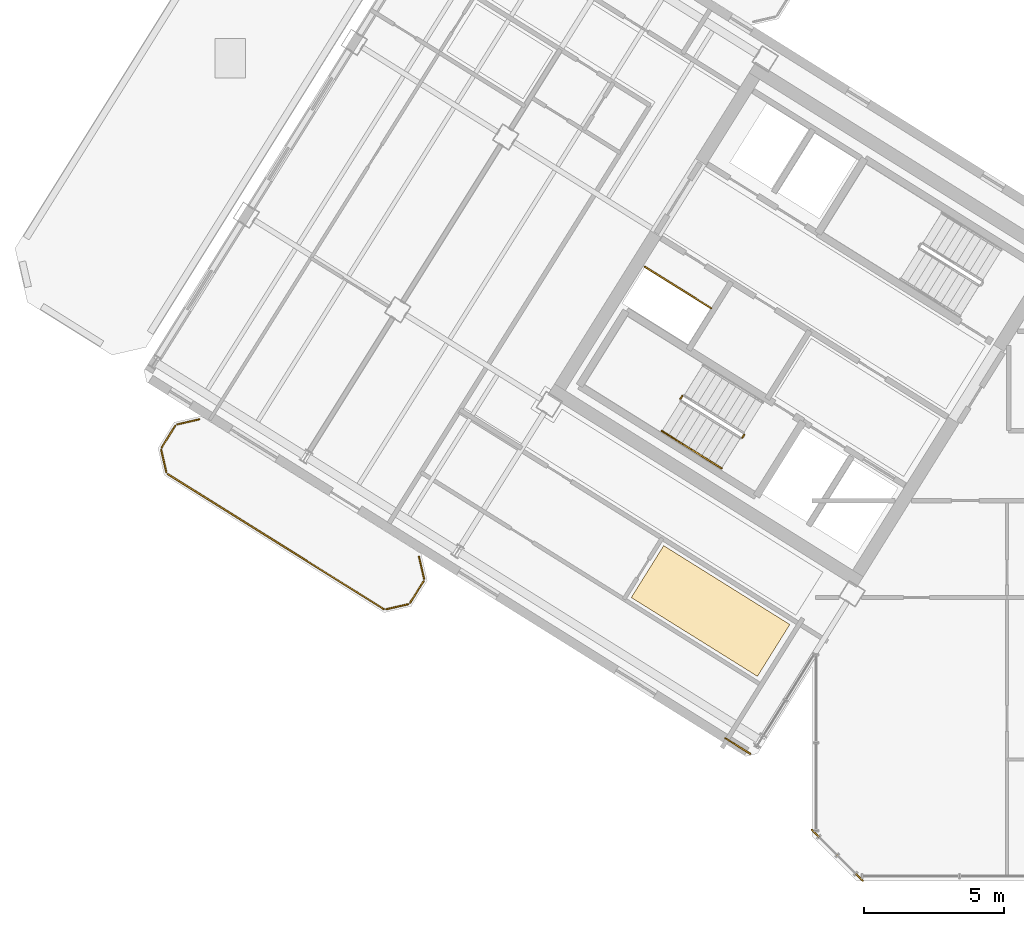
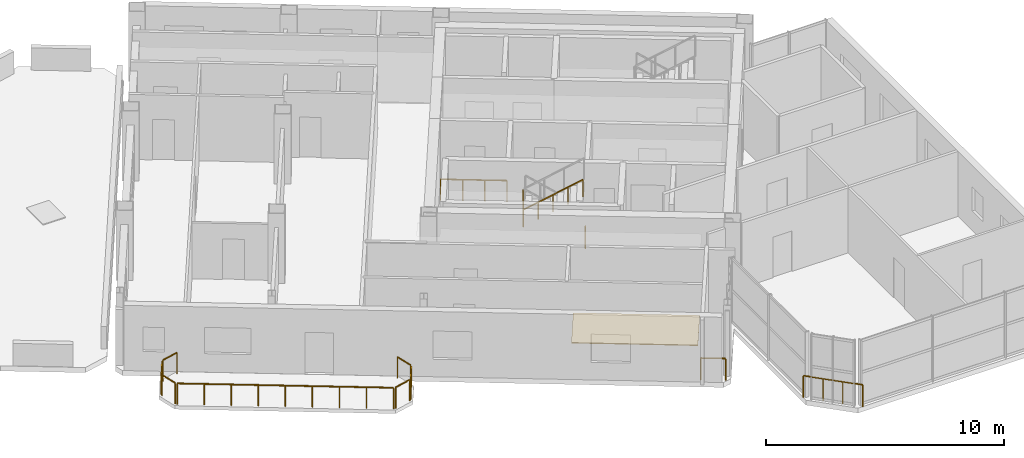
# One storey, part 11 of 12: 14 railings, 1 covering.
"""IFC4 building model written with IfcOpenShell, lengths in metres."""

from ifc_helpers import new_model, si_unit, direction, frame, origin, origin_2d, place, context, subcontext, project, spatial, polyline, rectangle, outline, extrude, source, transform, mapped, material, layer, layer_set, type_object, element, save


model = new_model("IFC4")

# Units and contexts
model_context = context("Model", 3, precision=1e-05, world=origin(), true_north=direction((0.0, 1.0)))
body_context = subcontext(model_context, "Body", "Model", "MODEL_VIEW")
ifc_project = project(units=[si_unit("LENGTHUNIT", "METRE"), si_unit("AREAUNIT", "SQUARE_METRE"), si_unit("VOLUMEUNIT", "CUBIC_METRE"), si_unit("PLANEANGLEUNIT", "RADIAN"), si_unit("MASSUNIT", "GRAM", prefix="KILO")], contexts=[model_context])

# Site, building, storey
site_placement = place(None, origin())
site = spatial("IfcSite", under=ifc_project, at=site_placement, CompositionType="ELEMENT")
building_placement = place(site_placement, origin())
building = spatial("IfcBuilding", under=site, at=building_placement, Name="Tlacorven Tower", CompositionType="ELEMENT")
storey_placement = place(building_placement, frame((0.0, 0.0, 280.800048828125)))
storey = spatial("IfcBuildingStorey", under=building, at=storey_placement, Name="L71", CompositionType="ELEMENT", Elevation=280.800048828125)

# Covering
ifc_material_1 = material(Name="Terrazzo and ceramic flooring")
ifc_layer = layer(ifc_material_1, 0.0400390625)
ifc_layer_set = layer_set([ifc_layer], Name="Terrazzo and ceramic flooring")
covering_type = type_object("IfcCoveringType", Name="CV-FLR-TERZ", PredefinedType="FLOORING", material=ifc_layer_set)
covering_placement = place(storey_placement, origin())
element("IfcCovering", 1, at=covering_placement, inside=storey, type_object=covering_type, Name="L71 Porcelain Wet-Room Floor Finish 6", PredefinedType="FLOORING", context=body_context, shape_type="SweptSolid", body=[
    extrude(outline(polyline([(30.811767578125, 10.983154296875), (29.651123046875, 9.1259765625), (25.131103515625, 11.950439453125), (26.291748046875, 13.8076171875), (30.811767578125, 10.983154296875)])), origin(), (0.0, 0.0, 1.0), 0.0400390625),
])

# Railings
ifc_material_2 = material(Name="Aluminium and painted steel balustrade", Category="steel")
railing_type_1 = type_object("IfcRailingType", Name="RL-GRD-1100", PredefinedType="GUARDRAIL", material=ifc_material_2)
shared_shape_1 = source(origin(), body_context, "Body", "SweptSolid", [
    extrude(rectangle(XDim=0.048095703125, YDim=0.048095703125, at=origin_2d()), frame((0.0, 0.0, 1.076171875), z_axis=(-0.848091358275, 0.529850024081, 0.0), x_axis=(-0.529850024081, -0.848091358275, 0.0)), (0.0, 0.0, 1.0), 2.800048828125),
    extrude(rectangle(XDim=0.0419921875, YDim=0.0419921875, at=origin_2d()), origin(), (0.0, 0.0, 1.0), 1.052001953125),
    extrude(rectangle(XDim=0.0419921875, YDim=0.0419921875, at=origin_2d()), frame((-0.79150390625, 0.49462890625, 0.0)), (0.0, 0.0, 1.0), 1.052001953125),
    extrude(rectangle(XDim=0.0419921875, YDim=0.0419921875, at=origin_2d()), frame((-1.583251953125, 0.989013671875, 0.0)), (0.0, 0.0, 1.0), 1.052001953125),
    extrude(rectangle(XDim=0.0419921875, YDim=0.0419921875, at=origin_2d()), frame((-2.374755859375, 1.483642578125, 0.0)), (0.0, 0.0, 1.0), 1.052001953125),
])
railing_1_placement = place(storey_placement, frame((27.9912109375, 22.32080078125, 0.0)))
element("IfcRailing", 2, at=railing_1_placement, inside=storey, type_object=railing_type_1, Name="L71 Electrical Riser W Shaft Guard 1", PredefinedType="GUARDRAIL", context=body_context, shape_type="MappedRepresentation", body=[
    mapped(shared_shape_1, transform((0.0, 0.0, 0.0), scale=1.0)),
])
railing_type_2 = type_object("IfcRailingType", Name="RL-BAL-1100", PredefinedType="BALUSTRADE", material=ifc_material_2)
shared_shape_2 = source(origin(), body_context, "Body", "SweptSolid", [
    extrude(rectangle(XDim=0.048095703125, YDim=0.048095703125, at=origin_2d()), frame((0.0, 0.0, 1.076171875), z_axis=(0.225058334816, -0.974345290916, 0.0), x_axis=(0.974345290916, 0.225058334816, 0.0)), (0.0, 0.0, 1.0), 0.80712890625),
    extrude(rectangle(XDim=0.0419921875, YDim=0.0419921875, at=origin_2d()), origin(), (0.0, 0.0, 1.0), 1.052001953125),
    extrude(rectangle(XDim=0.0419921875, YDim=0.0419921875, at=origin_2d()), frame((0.181640625, -0.786376953125, 0.0)), (0.0, 0.0, 1.0), 1.052001953125),
])
railing_2_placement = place(storey_placement, frame((17.5244140625, 13.413330078125, 0.0)))
element("IfcRailing", 3, at=railing_2_placement, inside=storey, type_object=railing_type_2, Name="BAL-L71-W-OUT Guard Railing 1", PredefinedType="BALUSTRADE", context=body_context, shape_type="MappedRepresentation", body=[
    mapped(shared_shape_2, transform((0.0, 0.0, 0.0), scale=1.0)),
])
shared_shape_3 = source(origin(), body_context, "Body", "SweptSolid", [
    extrude(rectangle(XDim=0.048095703125, YDim=0.048095703125, at=origin_2d()), frame((0.0, 0.0, 1.076171875), z_axis=(-0.52987865805, -0.848073468364, 0.0), x_axis=(0.848073468364, -0.52987865805, 0.0)), (0.0, 0.0, 1.0), 0.912353515625),
    extrude(rectangle(XDim=0.0419921875, YDim=0.0419921875, at=origin_2d()), origin(), (0.0, 0.0, 1.0), 1.052001953125),
    extrude(rectangle(XDim=0.0419921875, YDim=0.0419921875, at=origin_2d()), frame((-0.4833984375, -0.773681640625, 0.0)), (0.0, 0.0, 1.0), 1.052001953125),
])
railing_3_placement = place(storey_placement, frame((17.690673828125, 12.535888671875, 0.0)))
element("IfcRailing", 4, at=railing_3_placement, inside=storey, type_object=railing_type_2, Name="BAL-L71-W-OUT Guard Railing 2", PredefinedType="BALUSTRADE", context=body_context, shape_type="MappedRepresentation", body=[
    mapped(shared_shape_3, transform((0.0, 0.0, 0.0), scale=1.0)),
])
shared_shape_4 = source(origin(), body_context, "Body", "SweptSolid", [
    extrude(rectangle(XDim=0.048095703125, YDim=0.048095703125, at=origin_2d()), frame((0.0, 0.0, 1.076171875), z_axis=(-0.974411586182, -0.224771129628, 0.0), x_axis=(0.224771129628, -0.974411586182, 0.0)), (0.0, 0.0, 1.0), 0.80712890625),
    extrude(rectangle(XDim=0.0419921875, YDim=0.0419921875, at=origin_2d()), origin(), (0.0, 0.0, 1.0), 1.052001953125),
    extrude(rectangle(XDim=0.0419921875, YDim=0.0419921875, at=origin_2d()), frame((-0.786376953125, -0.181396484375, 0.0)), (0.0, 0.0, 1.0), 1.052001953125),
])
railing_4_placement = place(storey_placement, frame((17.132080078125, 11.70849609375, 0.0)))
element("IfcRailing", 5, at=railing_4_placement, inside=storey, type_object=railing_type_2, Name="BAL-L71-W-OUT Guard Railing 3", PredefinedType="BALUSTRADE", context=body_context, shape_type="MappedRepresentation", body=[
    mapped(shared_shape_4, transform((0.0, 0.0, 0.0), scale=1.0)),
])
shared_shape_5 = source(origin(), body_context, "Body", "SweptSolid", [
    extrude(rectangle(XDim=0.048095703125, YDim=0.048095703125, at=origin_2d()), frame((0.0, 0.0, 1.076171875), z_axis=(-0.225058334816, 0.974345290916, 0.0), x_axis=(-0.974345290916, -0.225058334816, 0.0)), (0.0, 0.0, 1.0), 0.80712890625),
    extrude(rectangle(XDim=0.0419921875, YDim=0.0419921875, at=origin_2d()), origin(), (0.0, 0.0, 1.0), 1.052001953125),
    extrude(rectangle(XDim=0.0419921875, YDim=0.0419921875, at=origin_2d()), frame((-0.181640625, 0.786376953125, 0.0)), (0.0, 0.0, 1.0), 1.052001953125),
])
railing_5_placement = place(storey_placement, frame((8.46923828125, 16.448974609375, 0.0)))
element("IfcRailing", 6, at=railing_5_placement, inside=storey, type_object=railing_type_2, Name="BAL-L71-W-OUT Guard Railing 5", PredefinedType="BALUSTRADE", context=body_context, shape_type="MappedRepresentation", body=[
    mapped(shared_shape_5, transform((0.0, 0.0, 0.0), scale=1.0)),
])
railing_type_3 = type_object("IfcRailingType", Name="RL-GRD-1150", PredefinedType="GUARDRAIL", material=ifc_material_2)
shared_shape_6 = source(origin(), body_context, "Body", "SweptSolid", [
    extrude(rectangle(XDim=0.048095703125, YDim=0.048095703125, at=origin_2d()), frame((0.0, 0.0, 1.1259765625), z_axis=(-0.707106781187, 0.707106781187, 0.0), x_axis=(-0.707106781187, -0.707106781187, 0.0)), (0.0, 0.0, 1.0), 2.590087890625),
    extrude(rectangle(XDim=0.0419921875, YDim=0.0419921875, at=origin_2d()), origin(), (0.0, 0.0, 1.0), 1.101806640625),
    extrude(rectangle(XDim=0.0419921875, YDim=0.0419921875, at=origin_2d()), frame((-0.610595703125, 0.610595703125, 0.0)), (0.0, 0.0, 1.0), 1.101806640625),
    extrude(rectangle(XDim=0.0419921875, YDim=0.0419921875, at=origin_2d()), frame((-1.220947265625, 1.220947265625, 0.0)), (0.0, 0.0, 1.0), 1.101806640625),
    extrude(rectangle(XDim=0.0419921875, YDim=0.0419921875, at=origin_2d()), frame((-1.83154296875, 1.83154296875, 0.0)), (0.0, 0.0, 1.0), 1.101806640625),
])
railing_6_placement = place(storey_placement, frame((33.428955078125, 1.79736328125, 0.0)))
element("IfcRailing", 7, at=railing_6_placement, inside=storey, type_object=railing_type_3, Name="L71 Knuckle Glazed Sill Guard 1", PredefinedType="GUARDRAIL", context=body_context, shape_type="MappedRepresentation", body=[
    mapped(shared_shape_6, transform((0.0, 0.0, 0.0), scale=1.0)),
])
shared_shape_7 = source(origin(), body_context, "Body", "SweptSolid", [
    extrude(rectangle(XDim=0.048095703125, YDim=0.048095703125, at=origin_2d()), frame((0.0, 0.0, 1.1259765625), z_axis=(-0.848102774857, 0.529831749973, 0.0), x_axis=(-0.529831749973, -0.848102774857, 0.0)), (0.0, 0.0, 1.0), 1.050048828125),
    extrude(rectangle(XDim=0.0419921875, YDim=0.0419921875, at=origin_2d()), origin(), (0.0, 0.0, 1.0), 1.101806640625),
    extrude(rectangle(XDim=0.0419921875, YDim=0.0419921875, at=origin_2d()), frame((-0.890625, 0.556396484375, 0.0)), (0.0, 0.0, 1.0), 1.101806640625),
])
railing_7_placement = place(storey_placement, frame((29.39501953125, 6.35009765625, 0.0)))
element("IfcRailing", 8, at=railing_7_placement, inside=storey, type_object=railing_type_3, Name="L71 Knuckle Glazed Sill Guard 2", PredefinedType="GUARDRAIL", context=body_context, shape_type="MappedRepresentation", body=[
    mapped(shared_shape_7, transform((0.0, 0.0, 0.0), scale=1.0)),
])
shared_shape_8 = source(origin(), body_context, "Body", "SweptSolid", [
    extrude(rectangle(XDim=0.048095703125, YDim=0.048095703125, at=origin_2d()), frame((0.0, 0.0, 1.076171875), z_axis=(-0.848047945797, 0.529919504859, 0.0), x_axis=(-0.529919504859, -0.848047945797, 0.0)), (0.0, 0.0, 1.0), 9.116943359375),
    extrude(rectangle(XDim=0.0419921875, YDim=0.0419921875, at=origin_2d()), origin(), (0.0, 0.0, 1.0), 1.052001953125),
    extrude(rectangle(XDim=0.0419921875, YDim=0.0419921875, at=origin_2d()), frame((-0.966552734375, 0.60400390625, 0.0)), (0.0, 0.0, 1.0), 1.052001953125),
    extrude(rectangle(XDim=0.0419921875, YDim=0.0419921875, at=origin_2d()), frame((-1.932861328125, 1.207763671875, 0.0)), (0.0, 0.0, 1.0), 1.052001953125),
    extrude(rectangle(XDim=0.0419921875, YDim=0.0419921875, at=origin_2d()), frame((-2.8994140625, 1.811767578125, 0.0)), (0.0, 0.0, 1.0), 1.052001953125),
    extrude(rectangle(XDim=0.0419921875, YDim=0.0419921875, at=origin_2d()), frame((-3.86572265625, 2.41552734375, 0.0)), (0.0, 0.0, 1.0), 1.052001953125),
    extrude(rectangle(XDim=0.0419921875, YDim=0.0419921875, at=origin_2d()), frame((-4.832275390625, 3.01953125, 0.0)), (0.0, 0.0, 1.0), 1.052001953125),
    extrude(rectangle(XDim=0.0419921875, YDim=0.0419921875, at=origin_2d()), frame((-5.798828125, 3.62353515625, 0.0)), (0.0, 0.0, 1.0), 1.052001953125),
    extrude(rectangle(XDim=0.0419921875, YDim=0.0419921875, at=origin_2d()), frame((-6.76513671875, 4.227294921875, 0.0)), (0.0, 0.0, 1.0), 1.052001953125),
    extrude(rectangle(XDim=0.0419921875, YDim=0.0419921875, at=origin_2d()), frame((-7.731689453125, 4.831298828125, 0.0)), (0.0, 0.0, 1.0), 1.052001953125),
])
railing_8_placement = place(storey_placement, frame((16.254638671875, 11.542236328125, 0.0)))
element("IfcRailing", 9, at=railing_8_placement, inside=storey, type_object=railing_type_2, Name="BAL-L71-W-OUT Guard Railing 4", PredefinedType="BALUSTRADE", context=body_context, shape_type="MappedRepresentation", body=[
    mapped(shared_shape_8, transform((0.0, 0.0, 0.0), scale=1.0)),
])
shared_shape_9 = source(origin(), body_context, "Body", "SweptSolid", [
    extrude(rectangle(XDim=0.048095703125, YDim=0.048095703125, at=origin_2d()), frame((0.0, 0.0, 1.076171875), z_axis=(0.529806412759, 0.848118603144, 0.0), x_axis=(-0.848118603144, 0.529806412759, 0.0)), (0.0, 0.0, 1.0), 0.911865234375),
    extrude(rectangle(XDim=0.0419921875, YDim=0.0419921875, at=origin_2d()), origin(), (0.0, 0.0, 1.0), 1.052001953125),
    extrude(rectangle(XDim=0.0419921875, YDim=0.0419921875, at=origin_2d()), frame((0.483154296875, 0.7734375, 0.0)), (0.0, 0.0, 1.0), 1.052001953125),
])
railing_9_placement = place(storey_placement, frame((8.302978515625, 17.326416015625, 0.0)))
element("IfcRailing", 10, at=railing_9_placement, inside=storey, type_object=railing_type_2, Name="BAL-L71-W-OUT Guard Railing 6", PredefinedType="BALUSTRADE", context=body_context, shape_type="MappedRepresentation", body=[
    mapped(shared_shape_9, transform((0.0, 0.0, 0.0), scale=1.0)),
])
shared_shape_10 = source(origin(), body_context, "Body", "SweptSolid", [
    extrude(rectangle(XDim=0.048095703125, YDim=0.048095703125, at=origin_2d()), frame((0.0, 0.0, 1.076171875), z_axis=(0.974360606036, 0.224992020761, 0.0), x_axis=(-0.224992020761, 0.974360606036, 0.0)), (0.0, 0.0, 1.0), 0.807373046875),
    extrude(rectangle(XDim=0.0419921875, YDim=0.0419921875, at=origin_2d()), origin(), (0.0, 0.0, 1.0), 1.052001953125),
    extrude(rectangle(XDim=0.0419921875, YDim=0.0419921875, at=origin_2d()), frame((0.78662109375, 0.181640625, 0.0)), (0.0, 0.0, 1.0), 1.052001953125),
])
railing_10_placement = place(storey_placement, frame((8.861328125, 18.153564453125, 0.0)))
element("IfcRailing", 11, at=railing_10_placement, inside=storey, type_object=railing_type_2, Name="BAL-L71-W-OUT Guard Railing 7", PredefinedType="BALUSTRADE", context=body_context, shape_type="MappedRepresentation", body=[
    mapped(shared_shape_10, transform((0.0, 0.0, 0.0), scale=1.0)),
])
shared_shape_11 = source(origin(), body_context, "Body", "SweptSolid", [
    extrude(rectangle(XDim=0.048095703125, YDim=0.048095703125, at=origin_2d()), frame((0.0, 0.0, 1.076171875), z_axis=(-0.529084052582, -0.848569422795, 0.0), x_axis=(0.848569422795, -0.529084052582, 0.0)), (0.0, 0.0, 1.0), 0.119873046875),
    extrude(rectangle(XDim=0.0419921875, YDim=0.0419921875, at=origin_2d()), origin(), (0.0, 0.0, 1.0), 1.052001953125),
    extrude(rectangle(XDim=0.0419921875, YDim=0.0419921875, at=origin_2d()), frame((-0.0634765625, -0.101806640625, 0.0)), (0.0, 0.0, 1.0), 1.052001953125),
])
railing_11_placement = place(storey_placement, frame((29.176513671875, 17.782958984375, 0.0)))
element("IfcRailing", 12, at=railing_11_placement, inside=storey, type_object=railing_type_1, Name="L71 ST-W1 stair guard 4", PredefinedType="GUARDRAIL", context=body_context, shape_type="MappedRepresentation", body=[
    mapped(shared_shape_11, transform((0.0, 0.0, 0.0), scale=1.0)),
])
shared_shape_12 = source(origin(), body_context, "Body", "SweptSolid", [
    extrude(rectangle(XDim=0.048095703125, YDim=0.048095703125, at=origin_2d()), frame((0.0, 0.0, 1.076171875), z_axis=(-0.530546985787, -0.847655529016, 0.0), x_axis=(0.847655529016, -0.530546985787, 0.0)), (0.0, 0.0, 1.0), 0.1201171875),
    extrude(rectangle(XDim=0.0419921875, YDim=0.0419921875, at=origin_2d()), origin(), (0.0, 0.0, 1.0), 1.052001953125),
    extrude(rectangle(XDim=0.0419921875, YDim=0.0419921875, at=origin_2d()), frame((-0.063720703125, -0.101806640625, 0.0)), (0.0, 0.0, 1.0), 1.052001953125),
])
railing_12_placement = place(storey_placement, frame((26.954833984375, 19.17138671875, 1.800048828125)))
element("IfcRailing", 13, at=railing_12_placement, inside=storey, type_object=railing_type_1, Name="L71 ST-W1 stair guard 2", PredefinedType="GUARDRAIL", context=body_context, shape_type="MappedRepresentation", body=[
    mapped(shared_shape_12, transform((0.0, 0.0, 0.0), scale=1.0)),
])
railing_type_4 = type_object("IfcRailingType", Name="RL-HND-0900", PredefinedType="HANDRAIL", material=ifc_material_2)
shared_shape_13 = source(origin(), body_context, "Body", "SweptSolid", [
    extrude(rectangle(XDim=0.048095703125, YDim=0.048095703125, at=origin_2d()), frame((0.0, 0.0, 0.8759765625), z_axis=(0.713359751793, -0.4457479829, 0.540764828981), x_axis=(0.529911857636, 0.848052724267, 0.0)), (0.0, 0.0, 1.0), 1.498046875),
    extrude(rectangle(XDim=0.0419921875, YDim=0.0419921875, at=origin_2d()), origin(), (0.0, 0.0, 1.0), 0.851806640625),
    extrude(rectangle(XDim=0.0419921875, YDim=0.0419921875, at=origin_2d()), frame((0.5341796875, -0.333984375, 0.405029296875)), (0.0, 0.0, 1.0), 0.851806640625),
    extrude(rectangle(XDim=0.0419921875, YDim=0.0419921875, at=origin_2d()), frame((1.068603515625, -0.667724609375, 0.81005859375)), (0.0, 0.0, 1.0), 0.851806640625),
])
railing_13_placement = place(storey_placement, frame((26.228759765625, 17.915283203125, 1.97998046875)))
element("IfcRailing", 14, at=railing_13_placement, inside=storey, type_object=railing_type_4, Name="L71 ST-W1 stair handrail 3", PredefinedType="HANDRAIL", context=body_context, shape_type="MappedRepresentation", body=[
    mapped(shared_shape_13, transform((0.0, 0.0, 0.0), scale=1.0)),
])
shared_shape_14 = source(origin(), body_context, "Body", "SweptSolid", [
    extrude(rectangle(XDim=0.048095703125, YDim=0.048095703125, at=origin_2d()), frame((0.0, 0.0, 0.8759765625), z_axis=(0.713342573076, -0.445839108173, 0.540712366292), x_axis=(0.529998940003, 0.847998304005, 0.0)), (0.0, 0.0, 1.0), 1.49755859375),
    extrude(rectangle(XDim=0.0419921875, YDim=0.0419921875, at=origin_2d()), origin(), (0.0, 0.0, 1.0), 0.851806640625),
    extrude(rectangle(XDim=0.0419921875, YDim=0.0419921875, at=origin_2d()), frame((0.5341796875, -0.333984375, 0.40478515625)), (0.0, 0.0, 1.0), 0.851806640625),
    extrude(rectangle(XDim=0.0419921875, YDim=0.0419921875, at=origin_2d()), frame((1.068359375, -0.667724609375, 0.809814453125)), (0.0, 0.0, 1.0), 0.851806640625),
])
railing_14_placement = place(storey_placement, frame((27.29736328125, 17.24755859375, 2.7900390625)))
element("IfcRailing", 15, at=railing_14_placement, inside=storey, type_object=railing_type_4, Name="L71 ST-W1 stair handrail 4", PredefinedType="HANDRAIL", context=body_context, shape_type="MappedRepresentation", body=[
    mapped(shared_shape_14, transform((0.0, 0.0, 0.0), scale=1.0)),
])

save(model, "model.ifc")
